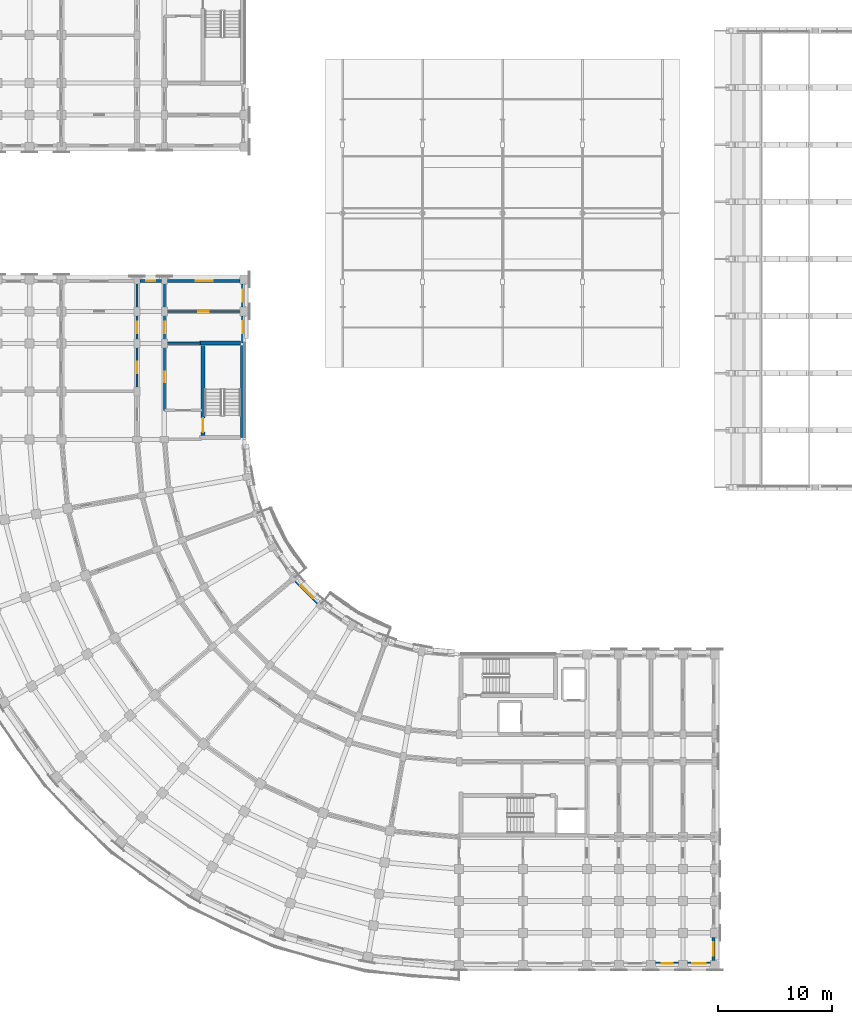
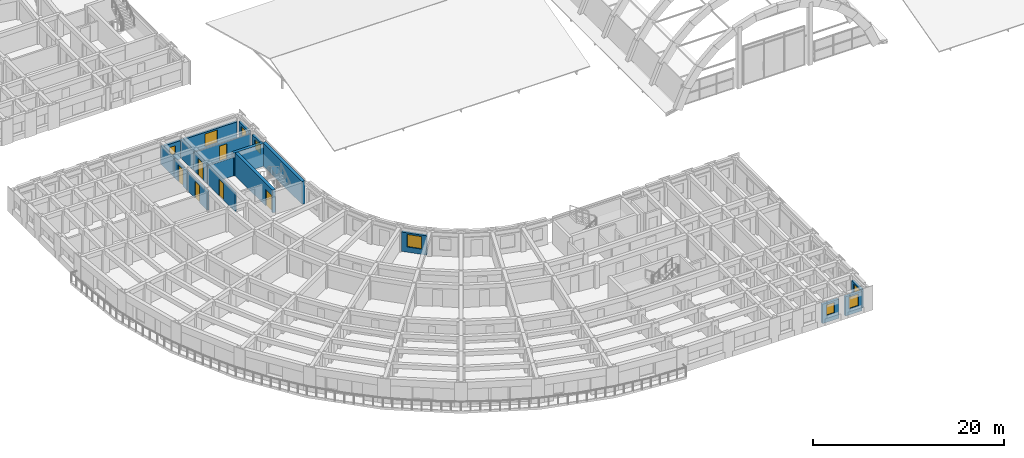
# One storey, part 40 of 76: 19 walls, 8 windows, 6 doors, 14 openings.
"""IFC4 building model written with IfcOpenShell, lengths in metres."""

from ifc_helpers import new_model, si_unit, direction, frame, frame_2d, origin, place, context, subcontext, project, spatial, rectangle, extrude, material, layer, layer_set, type_object, element, fill, save


model = new_model("IFC4")

# Units and contexts
model_context = context("Model", 3, precision=1e-05, world=origin(), true_north=direction((0.0, 1.0)))
body_context = subcontext(model_context, "Body", "Model", "MODEL_VIEW")
ifc_project = project(units=[si_unit("LENGTHUNIT", "METRE"), si_unit("AREAUNIT", "SQUARE_METRE"), si_unit("VOLUMEUNIT", "CUBIC_METRE"), si_unit("PLANEANGLEUNIT", "RADIAN"), si_unit("MASSUNIT", "GRAM", prefix="KILO")], contexts=[model_context])

# Site, building, storey
site_placement = place(None, origin())
site = spatial("IfcSite", under=ifc_project, at=site_placement, CompositionType="ELEMENT")
building_placement = place(site_placement, origin())
building = spatial("IfcBuilding", under=site, at=building_placement, Name="Kiranvali Square Residences", CompositionType="ELEMENT")
storey_placement = place(building_placement, frame((0.0, 0.0, 8.699951171875)))
storey = spatial("IfcBuildingStorey", under=building, at=storey_placement, Name="L02", CompositionType="ELEMENT", Elevation=8.699951171875)

# Wall, opening, door
ifc_material_1 = material(Name="Autoclaved aerated concrete blockwork masonry", Category="masonry")
ifc_layer_1 = layer(ifc_material_1, 0.199951171875)
ifc_layer_set_1 = layer_set([ifc_layer_1], Name="Autoclaved aerated concrete blockwork masonry")
wall_type_1 = type_object("IfcWallType", Name="WL-COR-200", PredefinedType="STANDARD", material=ifc_layer_set_1)
wall_1_placement = place(storey_placement, frame((22.39990234375, 50.75, 0.0), z_axis=(0.0, 0.0, 1.0), x_axis=(0.0, 1.0, 0.0)))
wall_1 = element("IfcWall", 1, at=wall_1_placement, inside=storey, type_object=wall_type_1, Name="L02 architectural wall WL-L02-C-S3-COR", PredefinedType="STANDARD", context=body_context, shape_type="SweptSolid", body=[
    extrude(rectangle(XDim=5.800048828125, YDim=0.199951171875, at=frame_2d((2.89990234375, 0.0))), origin(), (0.0, 0.0, 1.0), 2.3720703125),
])
opening_1_placement = place(wall_1_placement, frame((2.43994140625, 0.0, 0.0)))
opening_1 = element("IfcOpeningElement", 2, at=opening_1_placement, cuts=wall_1, Name="Opening FD-SVC-120", PredefinedType="OPENING", context=body_context, shape_type="SweptSolid", body=[
    extrude(rectangle(XDim=0.919921875, YDim=2.10009765625, at=frame_2d((0.4599609375, 1.050048828125))), frame((0.0, 0.10986328125, 0.0), z_axis=(0.0, -1.0, 0.0), x_axis=(1.0, 0.0, 0.0)), (0.0, 0.0, 1.0), 0.219970703125),
])
ifc_material_2 = material(Name="Fire-rated acoustic hardwood and mineral-core door assembly", Category="wood")
door_type_1 = type_object("IfcDoorType", Name="DR-SVC-900", OperationType="NOTDEFINED", PredefinedType="DOOR", material=ifc_material_2)
door_1_placement = place(opening_1_placement, origin())
door_1 = element("IfcDoor", 3, at=door_1_placement, inside=storey, type_object=door_type_1, Name="L02 door DR-L02-1855 (DR-SVC-900)", OperationType="SINGLE_SWING_LEFT", OverallHeight=2.10009765625, OverallWidth=0.919921875, PredefinedType="DOOR", context=body_context, shape_type="SweptSolid", body=[
    extrude(rectangle(XDim=0.919921875, YDim=2.10009765625, at=frame_2d((0.4599609375, 1.050048828125))), frame((0.0, 0.02490234375, 0.0), z_axis=(0.0, -1.0, 0.0), x_axis=(1.0, 0.0, 0.0)), (0.0, 0.0, 1.0), 0.050048828125),
])
fill(opening_1, door_1)

wall_2_placement = place(storey_placement, frame((20.0, 52.39990234375, 0.0), z_axis=(0.0, 0.0, 1.0), x_axis=(0.0, 1.0, 0.0)))
wall_2 = element("IfcWall", 4, at=wall_2_placement, inside=storey, type_object=wall_type_1, Name="L02 architectural wall WL-L02-C-A2CF-C1", PredefinedType="STANDARD", context=body_context, shape_type="SweptSolid", body=[
    extrude(rectangle(XDim=4.2001953125, YDim=0.199951171875, at=frame_2d((2.10009765625, 0.0))), origin(), (0.0, 0.0, 1.0), 2.3720703125),
])
opening_2_placement = place(wall_2_placement, frame((1.60009765625, 0.0, 0.0)))
opening_2 = element("IfcOpeningElement", 5, at=opening_2_placement, cuts=wall_2, Name="Opening FD-APT-60", PredefinedType="OPENING", context=body_context, shape_type="SweptSolid", body=[
    extrude(rectangle(XDim=1.0, YDim=2.14990234375, at=frame_2d((0.5, 1.074951171875))), frame((0.0, 0.10986328125, 0.0), z_axis=(0.0, -1.0, 0.0), x_axis=(1.0, 0.0, 0.0)), (0.0, 0.0, 1.0), 0.219970703125),
])
door_type_2 = type_object("IfcDoorType", Name="DR-APT-1000", OperationType="NOTDEFINED", PredefinedType="DOOR", material=ifc_material_2)
door_2_placement = place(opening_2_placement, origin())
door_2 = element("IfcDoor", 6, at=door_2_placement, inside=storey, type_object=door_type_2, Name="L02 door DR-L02-1897 (DR-APT-1000)", OperationType="SINGLE_SWING_LEFT", OverallHeight=2.14990234375, OverallWidth=1.0, PredefinedType="DOOR", context=body_context, shape_type="SweptSolid", body=[
    extrude(rectangle(XDim=1.0, YDim=2.14990234375, at=frame_2d((0.5, 1.074951171875))), frame((0.0, 0.02490234375, 0.0), z_axis=(0.0, -1.0, 0.0), x_axis=(1.0, 0.0, 0.0)), (0.0, 0.0, 1.0), 0.050048828125),
])
fill(opening_2, door_2)

wall_3_placement = place(storey_placement, frame((22.39990234375, 56.60009765625, 0.0), z_axis=(0.0, 0.0, 1.0), x_axis=(0.0, 1.0, 0.0)))
wall_3 = element("IfcWall", 7, at=wall_3_placement, inside=storey, type_object=wall_type_1, Name="L02 architectural wall WL-L02-C-A2CI-0", PredefinedType="STANDARD", context=body_context, shape_type="SweptSolid", body=[
    extrude(rectangle(XDim=2.7998046875, YDim=0.199951171875, at=frame_2d((1.39990234375, 0.0))), origin(), (0.0, 0.0, 1.0), 2.3720703125),
])
opening_3_placement = place(wall_3_placement, frame((0.89990234375, 0.0, 0.0)))
opening_3 = element("IfcOpeningElement", 8, at=opening_3_placement, cuts=wall_3, Name="Opening FD-APT-60", PredefinedType="OPENING", context=body_context, shape_type="SweptSolid", body=[
    extrude(rectangle(XDim=1.0, YDim=2.14990234375, at=frame_2d((0.5, 1.074951171875))), frame((0.0, 0.10986328125, 0.0), z_axis=(0.0, -1.0, 0.0), x_axis=(1.0, 0.0, 0.0)), (0.0, 0.0, 1.0), 0.219970703125),
])
door_3_placement = place(opening_3_placement, origin())
door_3 = element("IfcDoor", 9, at=door_3_placement, inside=storey, type_object=door_type_2, Name="L02 door DR-L02-1899 (DR-APT-1000)", OperationType="SINGLE_SWING_LEFT", OverallHeight=2.14990234375, OverallWidth=1.0, PredefinedType="DOOR", context=body_context, shape_type="SweptSolid", body=[
    extrude(rectangle(XDim=1.0, YDim=2.14990234375, at=frame_2d((0.5, 1.074951171875))), frame((0.0, 0.02490234375, 0.0), z_axis=(0.0, -1.0, 0.0), x_axis=(1.0, 0.0, 0.0)), (0.0, 0.0, 1.0), 0.050048828125),
])
fill(opening_3, door_3)

wall_4_placement = place(storey_placement, frame((20.0, 56.60009765625, 0.0), z_axis=(0.0, 0.0, 1.0), x_axis=(0.0, 1.0, 0.0)))
wall_4 = element("IfcWall", 10, at=wall_4_placement, inside=storey, type_object=wall_type_1, Name="L02 architectural wall WL-L02-C-A2CO-0", PredefinedType="STANDARD", context=body_context, shape_type="SweptSolid", body=[
    extrude(rectangle(XDim=2.7998046875, YDim=0.199951171875, at=frame_2d((1.39990234375, 0.0))), origin(), (0.0, 0.0, 1.0), 2.3720703125),
])
opening_4_placement = place(wall_4_placement, frame((0.89990234375, 0.0, 0.0)))
opening_4 = element("IfcOpeningElement", 11, at=opening_4_placement, cuts=wall_4, Name="Opening FD-APT-60", PredefinedType="OPENING", context=body_context, shape_type="SweptSolid", body=[
    extrude(rectangle(XDim=1.0, YDim=2.14990234375, at=frame_2d((0.5, 1.074951171875))), frame((0.0, 0.10986328125, 0.0), z_axis=(0.0, -1.0, 0.0), x_axis=(1.0, 0.0, 0.0)), (0.0, 0.0, 1.0), 0.219970703125),
])
door_4_placement = place(opening_4_placement, origin())
door_4 = element("IfcDoor", 12, at=door_4_placement, inside=storey, type_object=door_type_2, Name="L02 door DR-L02-1901 (DR-APT-1000)", OperationType="SINGLE_SWING_LEFT", OverallHeight=2.14990234375, OverallWidth=1.0, PredefinedType="DOOR", context=body_context, shape_type="SweptSolid", body=[
    extrude(rectangle(XDim=1.0, YDim=2.14990234375, at=frame_2d((0.5, 1.074951171875))), frame((0.0, 0.02490234375, 0.0), z_axis=(0.0, -1.0, 0.0), x_axis=(1.0, 0.0, 0.0)), (0.0, 0.0, 1.0), 0.050048828125),
])
fill(opening_4, door_4)

# Walls
for number, where, z_axis, x_axis, name in (
    (13, (22.39990234375, 59.39990234375, 0.0), (0.0, 0.0, 1.0), (0.0, 1.0, 0.0), "L02 architectural wall WL-L02-C-A2CI-1"),
    (14, (20.0, 59.39990234375, 0.0), (0.0, 0.0, 1.0), (0.0, 1.0, 0.0), "L02 architectural wall WL-L02-C-A2CO-1"),
):
    element("IfcWall", number, at=place(storey_placement, frame(where, z_axis=z_axis, x_axis=x_axis)), inside=storey, type_object=wall_type_1, Name=name, PredefinedType="STANDARD", context=body_context, shape_type="SweptSolid", body=[
        extrude(rectangle(XDim=2.800048828125, YDim=0.199951171875, at=frame_2d((1.39990234375, 0.0))), origin(), (0.0, 0.0, 1.0), 2.3720703125),
    ])
ifc_layer_2 = layer(ifc_material_1, 0.219970703125)
ifc_layer_set_2 = layer_set([ifc_layer_2], Name="Autoclaved aerated concrete blockwork masonry")
wall_type_2 = type_object("IfcWallType", Name="WL-DEM-220", PredefinedType="STANDARD", material=ifc_layer_set_2)
wall_5_placement = place(storey_placement, frame((25.550048828125, 56.60009765625, 0.0), z_axis=(0.0, 0.0, 1.0), x_axis=(-1.0, 0.0, 0.0)))
element("IfcWall", 15, at=wall_5_placement, inside=storey, type_object=wall_type_2, Name="L02 architectural wall WL-L02-C-A2TI-0", PredefinedType="STANDARD", context=body_context, shape_type="SweptSolid", body=[
    extrude(rectangle(XDim=3.10009765625, YDim=0.219970703125, at=frame_2d((1.550048828125, 0.0))), origin(), (0.0, 0.0, 1.0), 2.3720703125),
])

# Wall, opening, window
ifc_material_3 = material(Name="Breathable lime-rendered clay brick masonry", Category="masonry")
ifc_layer_3 = layer(ifc_material_3, 0.27490234375)
ifc_layer_set_3 = layer_set([ifc_layer_3], Name="Breathable lime-rendered clay brick masonry")
wall_type_3 = type_object("IfcWallType", Name="WL-EXT-275", PredefinedType="STANDARD", material=ifc_layer_set_3)
wall_6_placement = place(storey_placement, frame((35.829345703125, 33.90771484375, 0.0), z_axis=(0.0, 0.0, 1.0), x_axis=(-0.707106781187, 0.707106781187, 0.0)))
wall_6 = element("IfcWall", 16, at=wall_6_placement, inside=storey, type_object=wall_type_3, Name="L02 exterior wall C-L02-GDN-04", PredefinedType="STANDARD", context=body_context, shape_type="SweptSolid", body=[
    extrude(rectangle(XDim=2.717529296875, YDim=0.27490234375, at=frame_2d((1.35888671875, 0.0))), origin(), (0.0, 0.0, 1.0), 2.47216796875),
])
opening_5_placement = place(wall_6_placement, frame((0.583740234375, 0.0, 0.672119140625)))
opening_5 = element("IfcOpeningElement", 17, at=opening_5_placement, cuts=wall_6, Name="Opening W-18", PredefinedType="OPENING", context=body_context, shape_type="SweptSolid", body=[
    extrude(rectangle(XDim=1.550048828125, YDim=1.60009765625, at=frame_2d((0.77490234375, 0.800048828125))), frame((0.0, 0.1474609375, 0.0), z_axis=(0.0, -1.0, 0.0), x_axis=(1.0, 0.0, 0.0)), (0.0, 0.0, 1.0), 0.294921875),
])
ifc_material_4 = material(Name="Solar-control low-e double glazing", Category="glass")
window_type_1 = type_object("IfcWindowType", Name="WIN-GDN-1550x1600", PartitioningType="DOUBLE_PANEL_VERTICAL", PredefinedType="WINDOW", material=ifc_material_4)
window_1_placement = place(opening_5_placement, origin())
window_1 = element("IfcWindow", 18, at=window_1_placement, inside=storey, type_object=window_type_1, Name="L02 recessed window C-L02-GDN-04", OverallHeight=1.60009765625, OverallWidth=1.550048828125, PartitioningType="DOUBLE_PANEL_VERTICAL", PredefinedType="WINDOW", context=body_context, shape_type="SweptSolid", body=[
    extrude(rectangle(XDim=1.550048828125, YDim=1.60009765625, at=frame_2d((0.77490234375, 0.800048828125))), frame((0.0, 0.030029296875, 0.0), z_axis=(0.0, -1.0, 0.0), x_axis=(1.0, 0.0, 0.0)), (0.0, 0.0, 1.0), 0.06005859375),
])
fill(opening_5, window_1)

wall_7_placement = place(storey_placement, frame((65.403564453125, 2.324951171875, 0.0), z_axis=(0.0, 0.0, 1.0), x_axis=(1.0, 0.0, 0.0)))
wall_7 = element("IfcWall", 19, at=wall_7_placement, inside=storey, type_object=wall_type_3, Name="L02 exterior wall C-L02-A1O-4", PredefinedType="STANDARD", context=body_context, shape_type="SweptSolid", body=[
    extrude(rectangle(XDim=1.992919921875, YDim=0.27490234375, at=frame_2d((0.99658203125, 0.0))), origin(), (0.0, 0.0, 1.0), 2.47216796875),
])
opening_6_placement = place(wall_7_placement, frame((0.521484375, 0.0, 0.8798828125)))
opening_6 = element("IfcOpeningElement", 20, at=opening_6_placement, cuts=wall_7, Name="Opening W-16", PredefinedType="OPENING", context=body_context, shape_type="SweptSolid", body=[
    extrude(rectangle(XDim=0.949951171875, YDim=1.35009765625, at=frame_2d((0.47509765625, 0.675048828125))), frame((0.0, 0.1474609375, 0.0), z_axis=(0.0, -1.0, 0.0), x_axis=(1.0, 0.0, 0.0)), (0.0, 0.0, 1.0), 0.294921875),
])
window_type_2 = type_object("IfcWindowType", Name="WIN-RES-950x1350", PartitioningType="SINGLE_PANEL", PredefinedType="WINDOW", material=ifc_material_4)
window_2_placement = place(opening_6_placement, origin())
window_2 = element("IfcWindow", 21, at=window_2_placement, inside=storey, type_object=window_type_2, Name="L02 recessed window C-L02-A1O-4", OverallHeight=1.35009765625, OverallWidth=0.949951171875, PartitioningType="SINGLE_PANEL", PredefinedType="WINDOW", context=body_context, shape_type="SweptSolid", body=[
    extrude(rectangle(XDim=0.949951171875, YDim=1.35009765625, at=frame_2d((0.47509765625, 0.675048828125))), frame((0.0, 0.030029296875, 0.0), z_axis=(0.0, -1.0, 0.0), x_axis=(1.0, 0.0, 0.0)), (0.0, 0.0, 1.0), 0.06005859375),
])
fill(opening_6, window_2)

wall_8_placement = place(storey_placement, frame((68.20361328125, 2.324951171875, 0.0), z_axis=(0.0, 0.0, 1.0), x_axis=(1.0, 0.0, 0.0)))
wall_8 = element("IfcWall", 22, at=wall_8_placement, inside=storey, type_object=wall_type_3, Name="L02 exterior wall C-L02-A1O-5", PredefinedType="STANDARD", context=body_context, shape_type="SweptSolid", body=[
    extrude(rectangle(XDim=1.992919921875, YDim=0.27490234375, at=frame_2d((0.99658203125, 0.0))), origin(), (0.0, 0.0, 1.0), 2.47216796875),
])
opening_7_placement = place(wall_8_placement, frame((0.396484375, 0.0, 0.77197265625)))
opening_7 = element("IfcOpeningElement", 23, at=opening_7_placement, cuts=wall_8, Name="Opening W-06", PredefinedType="OPENING", context=body_context, shape_type="SweptSolid", body=[
    extrude(rectangle(XDim=1.199951171875, YDim=1.5, at=frame_2d((0.60009765625, 0.75))), frame((0.0, 0.1474609375, 0.0), z_axis=(0.0, -1.0, 0.0), x_axis=(1.0, 0.0, 0.0)), (0.0, 0.0, 1.0), 0.294921875),
])
window_type_3 = type_object("IfcWindowType", Name="WIN-RES-1200x1500", PartitioningType="SINGLE_PANEL", PredefinedType="WINDOW", material=ifc_material_4)
window_3_placement = place(opening_7_placement, origin())
window_3 = element("IfcWindow", 24, at=window_3_placement, inside=storey, type_object=window_type_3, Name="L02 recessed window C-L02-A1O-5", OverallHeight=1.5, OverallWidth=1.199951171875, PartitioningType="SINGLE_PANEL", PredefinedType="WINDOW", context=body_context, shape_type="SweptSolid", body=[
    extrude(rectangle(XDim=1.199951171875, YDim=1.5, at=frame_2d((0.60009765625, 0.75))), frame((0.0, 0.030029296875, 0.0), z_axis=(0.0, -1.0, 0.0), x_axis=(1.0, 0.0, 0.0)), (0.0, 0.0, 1.0), 0.06005859375),
])
fill(opening_7, window_3)

wall_9_placement = place(storey_placement, frame((70.47509765625, 4.596435546875, 0.0), z_axis=(0.0, 0.0, 1.0), x_axis=(0.0, -1.0, 0.0)))
wall_9 = element("IfcWall", 25, at=wall_9_placement, inside=storey, type_object=wall_type_3, Name="L02 exterior wall C-L02-A1END-6", PredefinedType="STANDARD", context=body_context, shape_type="SweptSolid", body=[
    extrude(rectangle(XDim=1.992919921875, YDim=0.27490234375, at=frame_2d((0.99658203125, 0.0))), origin(), (0.0, 0.0, 1.0), 2.3720703125),
])
opening_8_placement = place(wall_9_placement, frame((0.396484375, 0.0, 0.672119140625)))
opening_8 = element("IfcOpeningElement", 26, at=opening_8_placement, cuts=wall_9, Name="Opening W-06", PredefinedType="OPENING", context=body_context, shape_type="SweptSolid", body=[
    extrude(rectangle(XDim=1.199951171875, YDim=1.5, at=frame_2d((0.60009765625, 0.75))), frame((0.0, 0.1474609375, 0.0), z_axis=(0.0, -1.0, 0.0), x_axis=(1.0, 0.0, 0.0)), (0.0, 0.0, 1.0), 0.294921875),
])
window_4_placement = place(opening_8_placement, origin())
window_4 = element("IfcWindow", 27, at=window_4_placement, inside=storey, type_object=window_type_3, Name="L02 recessed window C-L02-A1END-6", OverallHeight=1.5, OverallWidth=1.199951171875, PartitioningType="SINGLE_PANEL", PredefinedType="WINDOW", context=body_context, shape_type="SweptSolid", body=[
    extrude(rectangle(XDim=1.199951171875, YDim=1.5, at=frame_2d((0.60009765625, 0.75))), frame((0.0, 0.030029296875, 0.0), z_axis=(0.0, -1.0, 0.0), x_axis=(1.0, 0.0, 0.0)), (0.0, 0.0, 1.0), 0.06005859375),
])
fill(opening_8, window_4)

wall_10_placement = place(storey_placement, frame((29.27490234375, 56.62841796875, 0.0), z_axis=(0.0, 0.0, 1.0), x_axis=(0.0, 1.0, 0.0)))
wall_10 = element("IfcWall", 28, at=wall_10_placement, inside=storey, type_object=wall_type_3, Name="L02 exterior wall C-L02-A2I-0", PredefinedType="STANDARD", context=body_context, shape_type="SweptSolid", body=[
    extrude(rectangle(XDim=2.3681640625, YDim=0.27490234375, at=frame_2d((1.18408203125, 0.0))), origin(), (0.0, 0.0, 1.0), 2.47216796875),
])
opening_9_placement = place(wall_10_placement, frame((0.846435546875, 0.0, 0.8798828125)))
opening_9 = element("IfcOpeningElement", 29, at=opening_9_placement, cuts=wall_10, Name="Opening W-24", PredefinedType="OPENING", context=body_context, shape_type="SweptSolid", body=[
    extrude(rectangle(XDim=1.050048828125, YDim=1.25, at=frame_2d((0.52490234375, 0.625))), frame((0.0, 0.1474609375, 0.0), z_axis=(0.0, -1.0, 0.0), x_axis=(1.0, 0.0, 0.0)), (0.0, 0.0, 1.0), 0.294921875),
])
window_type_4 = type_object("IfcWindowType", Name="WIN-COR-1050x1250", PartitioningType="SINGLE_PANEL", PredefinedType="WINDOW", material=ifc_material_4)
window_5_placement = place(opening_9_placement, origin())
window_5 = element("IfcWindow", 30, at=window_5_placement, inside=storey, type_object=window_type_4, Name="L02 recessed window C-L02-A2I-0", OverallHeight=1.25, OverallWidth=1.050048828125, PartitioningType="SINGLE_PANEL", PredefinedType="WINDOW", context=body_context, shape_type="SweptSolid", body=[
    extrude(rectangle(XDim=1.050048828125, YDim=1.25, at=frame_2d((0.52490234375, 0.625))), frame((0.0, 0.030029296875, 0.0), z_axis=(0.0, -1.0, 0.0), x_axis=(1.0, 0.0, 0.0)), (0.0, 0.0, 1.0), 0.06005859375),
])
fill(opening_9, window_5)

wall_11_placement = place(storey_placement, frame((29.27490234375, 59.803466796875, 0.0), z_axis=(0.0, 0.0, 1.0), x_axis=(0.0, 1.0, 0.0)))
wall_11 = element("IfcWall", 31, at=wall_11_placement, inside=storey, type_object=wall_type_3, Name="L02 exterior wall C-L02-A2I-1", PredefinedType="STANDARD", context=body_context, shape_type="SweptSolid", body=[
    extrude(rectangle(XDim=1.992919921875, YDim=0.27490234375, at=frame_2d((0.99658203125, 0.0))), origin(), (0.0, 0.0, 1.0), 2.47216796875),
])
opening_10_placement = place(wall_11_placement, frame((0.471435546875, 0.0, 0.8798828125)))
opening_10 = element("IfcOpeningElement", 32, at=opening_10_placement, cuts=wall_11, Name="Opening W-24", PredefinedType="OPENING", context=body_context, shape_type="SweptSolid", body=[
    extrude(rectangle(XDim=1.050048828125, YDim=1.25, at=frame_2d((0.52490234375, 0.625))), frame((0.0, 0.1474609375, 0.0), z_axis=(0.0, -1.0, 0.0), x_axis=(1.0, 0.0, 0.0)), (0.0, 0.0, 1.0), 0.294921875),
])
window_6_placement = place(opening_10_placement, origin())
window_6 = element("IfcWindow", 33, at=window_6_placement, inside=storey, type_object=window_type_4, Name="L02 recessed window C-L02-A2I-1", OverallHeight=1.25, OverallWidth=1.050048828125, PartitioningType="SINGLE_PANEL", PredefinedType="WINDOW", context=body_context, shape_type="SweptSolid", body=[
    extrude(rectangle(XDim=1.050048828125, YDim=1.25, at=frame_2d((0.52490234375, 0.625))), frame((0.0, 0.030029296875, 0.0), z_axis=(0.0, -1.0, 0.0), x_axis=(1.0, 0.0, 0.0)), (0.0, 0.0, 1.0), 0.06005859375),
])
fill(opening_10, window_6)

wall_12_placement = place(storey_placement, frame((28.99658203125, 62.074951171875, 0.0), z_axis=(0.0, 0.0, 1.0), x_axis=(-1.0, 0.0, 0.0)))
wall_12 = element("IfcWall", 34, at=wall_12_placement, inside=storey, type_object=wall_type_3, Name="L02 exterior wall C-L02-A2END-0", PredefinedType="STANDARD", context=body_context, shape_type="SweptSolid", body=[
    extrude(rectangle(XDim=6.343017578125, YDim=0.27490234375, at=frame_2d((3.17138671875, 0.0))), origin(), (0.0, 0.0, 1.0), 2.3720703125),
])
opening_11_placement = place(wall_12_placement, frame((2.346435546875, 0.0, 0.52197265625)))
opening_11 = element("IfcOpeningElement", 35, at=opening_11_placement, cuts=wall_12, Name="Opening W-05", PredefinedType="OPENING", context=body_context, shape_type="SweptSolid", body=[
    extrude(rectangle(XDim=1.5, YDim=1.64990234375, at=frame_2d((0.75, 0.824951171875))), frame((0.0, 0.1474609375, 0.0), z_axis=(0.0, -1.0, 0.0), x_axis=(1.0, 0.0, 0.0)), (0.0, 0.0, 1.0), 0.294921875),
])
window_type_5 = type_object("IfcWindowType", Name="WIN-RES-1500x1650", PartitioningType="DOUBLE_PANEL_VERTICAL", PredefinedType="WINDOW", material=ifc_material_4)
window_7_placement = place(opening_11_placement, origin())
window_7 = element("IfcWindow", 36, at=window_7_placement, inside=storey, type_object=window_type_5, Name="L02 recessed window C-L02-A2END-0", OverallHeight=1.64990234375, OverallWidth=1.5, PartitioningType="DOUBLE_PANEL_VERTICAL", PredefinedType="WINDOW", context=body_context, shape_type="SweptSolid", body=[
    extrude(rectangle(XDim=1.5, YDim=1.64990234375, at=frame_2d((0.75, 0.824951171875))), frame((0.0, 0.030029296875, 0.0), z_axis=(0.0, -1.0, 0.0), x_axis=(1.0, 0.0, 0.0)), (0.0, 0.0, 1.0), 0.06005859375),
])
fill(opening_11, window_7)

wall_13_placement = place(storey_placement, frame((22.146484375, 62.074951171875, 0.0), z_axis=(0.0, 0.0, 1.0), x_axis=(-1.0, 0.0, 0.0)))
wall_13 = element("IfcWall", 37, at=wall_13_placement, inside=storey, type_object=wall_type_3, Name="L02 exterior wall C-L02-A2END-1", PredefinedType="STANDARD", context=body_context, shape_type="SweptSolid", body=[
    extrude(rectangle(XDim=1.89306640625, YDim=0.27490234375, at=frame_2d((0.946533203125, 0.0))), origin(), (0.0, 0.0, 1.0), 2.3720703125),
])
opening_12_placement = place(wall_13_placement, frame((0.571533203125, 0.0, 0.8798828125)))
opening_12 = element("IfcOpeningElement", 38, at=opening_12_placement, cuts=wall_13, Name="Opening W-07", PredefinedType="OPENING", context=body_context, shape_type="SweptSolid", body=[
    extrude(rectangle(XDim=0.75, YDim=1.050048828125, at=frame_2d((0.375, 0.52490234375))), frame((0.0, 0.1474609375, 0.0), z_axis=(0.0, -1.0, 0.0), x_axis=(1.0, 0.0, 0.0)), (0.0, 0.0, 1.0), 0.294921875),
])
window_type_6 = type_object("IfcWindowType", Name="WIN-WET-750x1050", PartitioningType="SINGLE_PANEL", PredefinedType="WINDOW", material=ifc_material_4)
window_8_placement = place(opening_12_placement, origin())
window_8 = element("IfcWindow", 39, at=window_8_placement, inside=storey, type_object=window_type_6, Name="L02 recessed window C-L02-A2END-1", OverallHeight=1.050048828125, OverallWidth=0.75, PartitioningType="SINGLE_PANEL", PredefinedType="WINDOW", context=body_context, shape_type="SweptSolid", body=[
    extrude(rectangle(XDim=0.75, YDim=1.050048828125, at=frame_2d((0.375, 0.52490234375))), frame((0.0, 0.030029296875, 0.0), z_axis=(0.0, -1.0, 0.0), x_axis=(1.0, 0.0, 0.0)), (0.0, 0.0, 1.0), 0.06005859375),
])
fill(opening_12, window_8)

# Wall, opening, door
ifc_material_5 = material(Name="Acoustic gypsum board drylined partition", Category="gypsum")
ifc_layer_4 = layer(ifc_material_5, 0.14990234375)
ifc_layer_set_4 = layer_set([ifc_layer_4], Name="Acoustic gypsum board drylined partition")
wall_type_4 = type_object("IfcWallType", Name="WL-PRT-150", PredefinedType="PARTITIONING", material=ifc_layer_set_4)
wall_14_placement = place(storey_placement, frame((29.199951171875, 59.39990234375, 0.0), z_axis=(0.0, 0.0, 1.0), x_axis=(-1.0, 0.0, 0.0)))
wall_14 = element("IfcWall", 40, at=wall_14_placement, inside=storey, type_object=wall_type_4, Name="L02 architectural wall WL-L02-C-A2TI-1", PredefinedType="PARTITIONING", context=body_context, shape_type="SweptSolid", body=[
    extrude(rectangle(XDim=6.75, YDim=0.14990234375, at=frame_2d((3.375, 0.0))), origin(), (0.0, 0.0, 1.0), 2.3720703125),
])
opening_13_placement = place(wall_14_placement, frame((2.925048828125, 0.0, 0.0)))
opening_13 = element("IfcOpeningElement", 41, at=opening_13_placement, cuts=wall_14, Name="Opening ID-1", PredefinedType="OPENING", context=body_context, shape_type="SweptSolid", body=[
    extrude(rectangle(XDim=0.89990234375, YDim=2.10009765625, at=frame_2d((0.449951171875, 1.050048828125))), frame((0.0, 0.0849609375, 0.0), z_axis=(0.0, -1.0, 0.0), x_axis=(1.0, 0.0, 0.0)), (0.0, 0.0, 1.0), 0.169921875),
])
ifc_material_6 = material(Name="Solid seasoned teak hardwood joinery", Category="wood")
door_type_3 = type_object("IfcDoorType", Name="DR-INT-900", OperationType="NOTDEFINED", PredefinedType="DOOR", material=ifc_material_6)
door_5_placement = place(opening_13_placement, origin())
door_5 = element("IfcDoor", 42, at=door_5_placement, inside=storey, type_object=door_type_3, Name="L02 door DR-L02-1903 (DR-INT-900)", OperationType="SINGLE_SWING_LEFT", OverallHeight=2.10009765625, OverallWidth=0.89990234375, PredefinedType="DOOR", context=body_context, shape_type="SweptSolid", body=[
    extrude(rectangle(XDim=0.89990234375, YDim=2.10009765625, at=frame_2d((0.449951171875, 1.050048828125))), frame((0.0, 0.02490234375, 0.0), z_axis=(0.0, -1.0, 0.0), x_axis=(1.0, 0.0, 0.0)), (0.0, 0.0, 1.0), 0.050048828125),
])
fill(opening_13, door_5)

# Wall
ifc_material_7 = material(Name="Concrete M50 (50 MPa)", Category="concrete")
ifc_layer_5 = layer(ifc_material_7, 0.35009765625)
ifc_layer_set_5 = layer_set([ifc_layer_5], Name="Concrete M50 (50 MPa)")
wall_type_5 = type_object("IfcWallType", Name="WL-SHR-350", PredefinedType="SHEAR", material=ifc_layer_set_5)
wall_15_placement = place(storey_placement, frame((29.22509765625, 48.375, 0.0), z_axis=(0.0, 0.0, 1.0), x_axis=(0.0, 1.0, 0.0)))
element("IfcWall", 43, at=wall_15_placement, inside=storey, type_object=wall_type_5, Name="Block C core shear wall SW-C3-OUT-L02", PredefinedType="SHEAR", context=body_context, shape_type="SweptSolid", body=[
    extrude(rectangle(XDim=8.25, YDim=0.35009765625, at=frame_2d((4.125, 0.0))), origin(), (0.0, 0.0, 1.0), 2.929931640625),
])

# Wall, opening, door
wall_16_placement = place(storey_placement, frame((25.77490234375, 48.550048828125, 0.0), z_axis=(0.0, 0.0, 1.0), x_axis=(0.0, 1.0, 0.0)))
wall_16 = element("IfcWall", 44, at=wall_16_placement, inside=storey, type_object=wall_type_5, Name="Block C core shear wall SW-C3-IN-L02", PredefinedType="SHEAR", context=body_context, shape_type="SweptSolid", body=[
    extrude(rectangle(XDim=7.89990234375, YDim=0.35009765625, at=frame_2d((3.949951171875, 0.0))), origin(), (0.0, 0.0, 1.0), 2.929931640625),
])
opening_14_placement = place(wall_16_placement, frame((0.280029296875, 0.0, 0.0)))
opening_14 = element("IfcOpeningElement", 45, at=opening_14_placement, cuts=wall_16, Name="Opening FD-ST-120", PredefinedType="OPENING", context=body_context, shape_type="SweptSolid", body=[
    extrude(rectangle(XDim=1.239990234375, YDim=2.14990234375, at=frame_2d((0.6201171875, 1.074951171875))), frame((0.0, 0.18505859375, 0.0), z_axis=(0.0, -1.0, 0.0), x_axis=(1.0, 0.0, 0.0)), (0.0, 0.0, 1.0), 0.3701171875),
])
door_type_4 = type_object("IfcDoorType", Name="DR-FD120-1200", OperationType="NOTDEFINED", PredefinedType="DOOR", material=ifc_material_2)
door_6_placement = place(opening_14_placement, frame((1.239990234375, 0.0, 0.0), z_axis=(0.0, 0.0, 1.0), x_axis=(-1.0, 0.0, 0.0)))
door_6 = element("IfcDoor", 46, at=door_6_placement, inside=storey, type_object=door_type_4, Name="L02 door DR-L02-1850 (DR-FD120-1200)", OperationType="SINGLE_SWING_RIGHT", OverallHeight=2.14990234375, OverallWidth=1.239990234375, PredefinedType="DOOR", context=body_context, shape_type="SweptSolid", body=[
    extrude(rectangle(XDim=1.239990234375, YDim=2.14990234375, at=frame_2d((0.6201171875, 1.074951171875))), frame((0.0, 0.02490234375, 0.0), z_axis=(0.0, -1.0, 0.0), x_axis=(1.0, 0.0, 0.0)), (0.0, 0.0, 1.0), 0.050048828125),
])
fill(opening_14, door_6)

# Wall
wall_17_placement = place(storey_placement, frame((29.050048828125, 56.625, 0.0), z_axis=(0.0, 0.0, 1.0), x_axis=(-1.0, 0.0, 0.0)))
element("IfcWall", 47, at=wall_17_placement, inside=storey, type_object=wall_type_5, Name="Block C core shear wall SW-C3-FAR-L02", PredefinedType="SHEAR", context=body_context, shape_type="SweptSolid", body=[
    extrude(rectangle(XDim=3.60009765625, YDim=0.35009765625, at=frame_2d((1.800048828125, 0.0))), origin(), (0.0, 0.0, 1.0), 2.929931640625),
])

save(model, "model.ifc")
